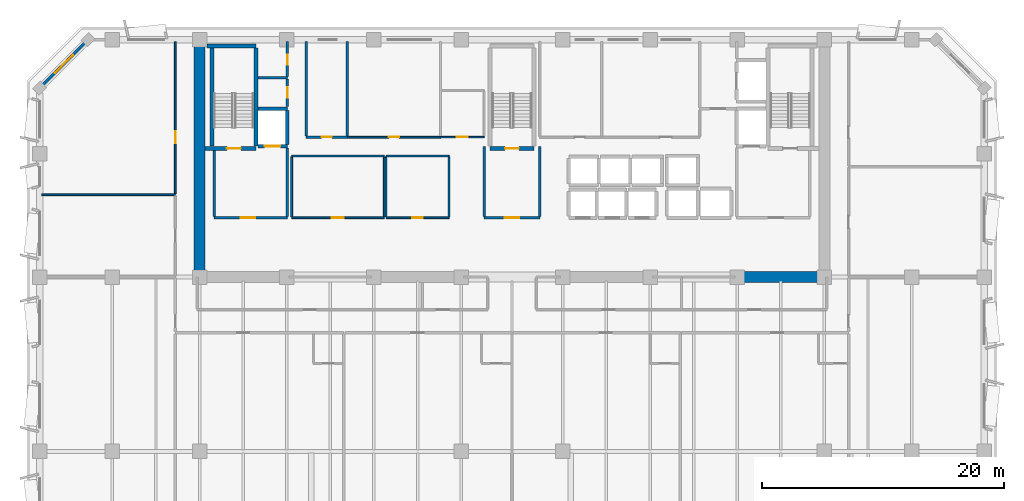
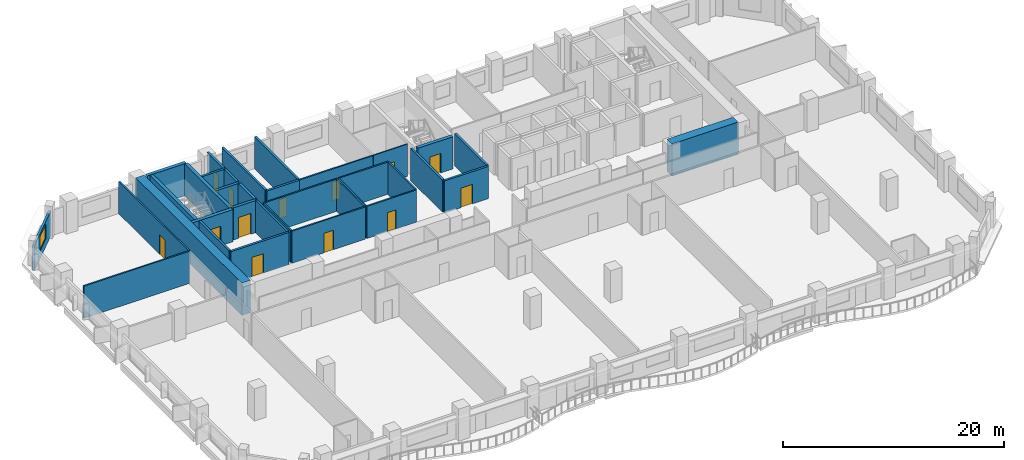
# One storey, part 6 of 14: 35 walls, 13 doors, 1 window, 14 openings.
"""IFC4 building model written with IfcOpenShell, lengths in metres."""

from ifc_helpers import new_model, si_unit, direction, frame, frame_2d, origin, place, context, subcontext, project, spatial, rectangle, extrude, material, layer, layer_set, type_object, element, fill, save


model = new_model("IFC4")

# Units and contexts
model_context = context("Model", 3, precision=1e-05, world=origin(), true_north=direction((0.0, 1.0)))
body_context = subcontext(model_context, "Body", "Model", "MODEL_VIEW")
ifc_project = project(units=[si_unit("LENGTHUNIT", "METRE"), si_unit("AREAUNIT", "SQUARE_METRE"), si_unit("VOLUMEUNIT", "CUBIC_METRE"), si_unit("PLANEANGLEUNIT", "RADIAN"), si_unit("MASSUNIT", "GRAM", prefix="KILO")], contexts=[model_context])

# Site, building, storey
site_placement = place(None, origin())
site = spatial("IfcSite", under=ifc_project, at=site_placement, CompositionType="ELEMENT")
building_placement = place(site_placement, origin())
building = spatial("IfcBuilding", under=site, at=building_placement, Name="Kaelvorn Grand Hotel", CompositionType="ELEMENT")
storey_placement = place(building_placement, frame((0.0, 0.0, 216.75)))
storey = spatial("IfcBuildingStorey", under=building, at=storey_placement, Name="L53", CompositionType="ELEMENT", Elevation=216.75)

# Walls
ifc_material_1 = material(Name="Concrete C60/75", Category="concrete")
ifc_layer_1 = layer(ifc_material_1, 0.89990234375)
ifc_layer_set_1 = layer_set([ifc_layer_1], Name="Concrete C60/75")
wall_type_1 = type_object("IfcWallType", Name="WL-CORE-900-C60", PredefinedType="SHEAR", material=ifc_layer_set_1)
wall_1_placement = place(storey_placement, frame((16.199951171875, 29.39990234375, 0.0), z_axis=(0.0, 0.0, 1.0), x_axis=(0.0, 1.0, 0.0)))
element("IfcWall", 1, at=wall_1_placement, inside=storey, type_object=wall_type_1, Name="L53 Rear-Core West Shear Wall", PredefinedType="SHEAR", context=body_context, shape_type="SweptSolid", body=[
    extrude(rectangle(XDim=19.2001953125, YDim=0.89990234375, at=frame_2d((9.60009765625, 0.0))), origin(), (0.0, 0.0, 1.0), 3.56005859375),
])
wall_2_placement = place(storey_placement, frame((60.39990234375, 29.39990234375, 0.0), z_axis=(0.0, 0.0, 1.0), x_axis=(1.0, 0.0, 0.0)))
element("IfcWall", 2, at=wall_2_placement, inside=storey, type_object=wall_type_1, Name="L53 Rear-Core Coupled Shear Pier S4", PredefinedType="SHEAR", context=body_context, shape_type="SweptSolid", body=[
    extrude(rectangle(XDim=6.945068359375, YDim=0.89990234375, at=frame_2d((3.47265625, 0.0))), origin(), (0.0, 0.0, 1.0), 3.56005859375),
])

# Wall, opening, window
ifc_material_2 = material(Name="Concrete C40/50", Category="concrete")
ifc_layer_2 = layer(ifc_material_2, 0.239990234375)
ifc_layer_set_2 = layer_set([ifc_layer_2], Name="Concrete C40/50")
wall_type_2 = type_object("IfcWallType", Name="WL-EXT-240-C40", PredefinedType="SOLIDWALL", material=ifc_layer_set_2)
wall_3_placement = place(storey_placement, frame((7.0, 49.0, 0.0), z_axis=(0.0, 0.0, 1.0), x_axis=(-0.707106781187, -0.707106781187, 0.0)))
wall_3 = element("IfcWall", 3, at=wall_3_placement, inside=storey, type_object=wall_type_2, Name="L53 Exterior Architectural Concrete Wall 06", PredefinedType="SOLIDWALL", context=body_context, shape_type="SweptSolid", body=[
    extrude(rectangle(XDim=5.65673828125, YDim=0.239990234375, at=frame_2d((2.828369140625, 0.0))), origin(), (0.0, 0.0, 1.0), 2.760009765625),
])
opening_1_placement = place(wall_3_placement, frame((1.7783203125, 0.0, 0.85009765625)))
opening_1 = element("IfcOpeningElement", 4, at=opening_1_placement, cuts=wall_3, Name="Opening W7", PredefinedType="OPENING", context=body_context, shape_type="SweptSolid", body=[
    extrude(rectangle(XDim=2.10009765625, YDim=1.60009765625, at=frame_2d((1.050048828125, 0.800048828125))), frame((0.0, 0.1298828125, 0.0), z_axis=(0.0, -1.0, 0.0), x_axis=(1.0, 0.0, 0.0)), (0.0, 0.0, 1.0), 0.260009765625),
])
ifc_material_3 = material(Name="Laminated Low-E Glass", Category="glass")
window_type = type_object("IfcWindowType", Name="WIN-CHM-2100x1600", PartitioningType="SINGLE_PANEL", PredefinedType="WINDOW", material=ifc_material_3)
window_placement = place(opening_1_placement, origin())
window = element("IfcWindow", 5, at=window_placement, inside=storey, type_object=window_type, Name="L53 Chamfered 45-Degree Corner Window NW", OverallHeight=1.60009765625, OverallWidth=2.10009765625, PartitioningType="SINGLE_PANEL", PredefinedType="WINDOW", context=body_context, shape_type="SweptSolid", body=[
    extrude(rectangle(XDim=2.10009765625, YDim=1.60009765625, at=frame_2d((1.050048828125, 0.800048828125))), frame((0.0, 0.030029296875, 0.0), z_axis=(0.0, -1.0, 0.0), x_axis=(1.0, 0.0, 0.0)), (0.0, 0.0, 1.0), 0.06005859375),
])
fill(opening_1, window)

# Wall, opening, door
ifc_material_4 = material(Name="Moisture-Resistant Tile & Stud Board")
ifc_layer_3 = layer(ifc_material_4, 0.125)
ifc_layer_set_3 = layer_set([ifc_layer_3], Name="Moisture-Resistant Tile & Stud Board")
wall_type_3 = type_object("IfcWallType", Name="WL-PART-125-WET", PredefinedType="PARTITIONING", material=ifc_layer_set_3)
wall_4_placement = place(storey_placement, frame((36.110107421875, 40.949951171875, 0.0), z_axis=(0.0, 0.0, 1.0), x_axis=(1.0, 0.0, 0.0)))
wall_4 = element("IfcWall", 6, at=wall_4_placement, inside=storey, type_object=wall_type_3, Name="L53 Accessible WC S Partition", PredefinedType="PARTITIONING", context=body_context, shape_type="SweptSolid", body=[
    extrude(rectangle(XDim=3.58984375, YDim=0.125, at=frame_2d((1.794921875, 0.0))), origin(), (0.0, 0.0, 1.0), 3.56005859375),
])
opening_2_placement = place(wall_4_placement, frame((1.340087890625, 0.0, 0.0)))
opening_2 = element("IfcOpeningElement", 7, at=opening_2_placement, cuts=wall_4, Name="Opening DI4", PredefinedType="OPENING", context=body_context, shape_type="SweptSolid", body=[
    extrude(rectangle(XDim=0.89990234375, YDim=2.10009765625, at=frame_2d((0.449951171875, 1.050048828125))), frame((0.0, 0.072509765625, 0.0), z_axis=(0.0, -1.0, 0.0), x_axis=(1.0, 0.0, 0.0)), (0.0, 0.0, 1.0), 0.14501953125),
])
ifc_material_5 = material(Name="Timber Veneer Leaf", Category="wood")
door_type_1 = type_object("IfcDoorType", Name="DR-INT-BATH-900x2100", OperationType="NOTDEFINED", PredefinedType="DOOR", material=ifc_material_5)
door_1_placement = place(opening_2_placement, origin())
door_1 = element("IfcDoor", 8, at=door_1_placement, inside=storey, type_object=door_type_1, Name="L53 Accessible WC Door", OperationType="SINGLE_SWING_LEFT", OverallHeight=2.10009765625, OverallWidth=0.89990234375, PredefinedType="DOOR", context=body_context, shape_type="SweptSolid", body=[
    extrude(rectangle(XDim=0.89990234375, YDim=2.10009765625, at=frame_2d((0.449951171875, 1.050048828125))), frame((0.0, 0.02490234375, 0.0), z_axis=(0.0, -1.0, 0.0), x_axis=(1.0, 0.0, 0.0)), (0.0, 0.0, 1.0), 0.050048828125),
])
fill(opening_2, door_1)

ifc_material_6 = material(Name="Acoustic Gypsum & Stud Partition")
ifc_layer_4 = layer(ifc_material_6, 0.14990234375)
ifc_layer_set_4 = layer_set([ifc_layer_4], Name="Acoustic Gypsum & Stud Partition")
wall_type_4 = type_object("IfcWallType", Name="WL-PART-150-EI60", PredefinedType="PARTITIONING", material=ifc_layer_set_4)
wall_5_placement = place(storey_placement, frame((31.60009765625, 34.300048828125, 0.0), z_axis=(0.0, 0.0, 1.0), x_axis=(1.0, 0.0, 0.0)))
wall_5 = element("IfcWall", 9, at=wall_5_placement, inside=storey, type_object=wall_type_4, Name="L53 Core Telecoms & BMS Server Room S Partition", PredefinedType="PARTITIONING", context=body_context, shape_type="SweptSolid", body=[
    extrude(rectangle(XDim=5.199951171875, YDim=0.14990234375, at=frame_2d((2.60009765625, 0.0))), origin(), (0.0, 0.0, 1.0), 3.56005859375),
])
opening_3_placement = place(wall_5_placement, frame((2.175048828125, 0.0, 0.0)))
opening_3 = element("IfcOpeningElement", 10, at=opening_3_placement, cuts=wall_5, Name="Opening DI7", PredefinedType="OPENING", context=body_context, shape_type="SweptSolid", body=[
    extrude(rectangle(XDim=0.85009765625, YDim=2.10009765625, at=frame_2d((0.425048828125, 1.050048828125))), frame((0.0, 0.0849609375, 0.0), z_axis=(0.0, -1.0, 0.0), x_axis=(1.0, 0.0, 0.0)), (0.0, 0.0, 1.0), 0.169921875),
])
ifc_material_7 = material(Name="Powder-Coated Steel Leaf", Category="steel")
door_type_2 = type_object("IfcDoorType", Name="DR-INT-RISER-850x2100", OperationType="NOTDEFINED", PredefinedType="DOOR", material=ifc_material_7)
door_2_placement = place(opening_3_placement, origin())
door_2 = element("IfcDoor", 11, at=door_2_placement, inside=storey, type_object=door_type_2, Name="L53 Core Telecoms & BMS Server Room Door", OperationType="SINGLE_SWING_LEFT", OverallHeight=2.10009765625, OverallWidth=0.85009765625, PredefinedType="DOOR", context=body_context, shape_type="SweptSolid", body=[
    extrude(rectangle(XDim=0.85009765625, YDim=2.10009765625, at=frame_2d((0.425048828125, 1.050048828125))), frame((0.0, 0.02490234375, 0.0), z_axis=(0.0, -1.0, 0.0), x_axis=(1.0, 0.0, 0.0)), (0.0, 0.0, 1.0), 0.050048828125),
])
fill(opening_3, door_2)

# Walls
wall_6_placement = place(storey_placement, frame((31.60009765625, 39.39990234375, 0.0), z_axis=(0.0, 0.0, 1.0), x_axis=(1.0, 0.0, 0.0)))
element("IfcWall", 12, at=wall_6_placement, inside=storey, type_object=wall_type_4, Name="L53 Core Telecoms & BMS Server Room N Partition", PredefinedType="PARTITIONING", context=body_context, shape_type="SweptSolid", body=[
    extrude(rectangle(XDim=5.199951171875, YDim=0.14990234375, at=frame_2d((2.60009765625, 0.0))), origin(), (0.0, 0.0, 1.0), 3.56005859375),
])
for number, where, z_axis, x_axis, name in (
    (13, (31.60009765625, 34.3798828125, 0.0), (0.0, 0.0, 1.0), (0.0, 1.0, 0.0), "L53 Core Telecoms & BMS Server Room W Partition"),
    (14, (36.800048828125, 34.3798828125, 0.0), (0.0, 0.0, 1.0), (0.0, 1.0, 0.0), "L53 Core Telecoms & BMS Server Room E Partition"),
):
    element("IfcWall", number, at=place(storey_placement, frame(where, z_axis=z_axis, x_axis=x_axis)), inside=storey, type_object=wall_type_4, Name=name, PredefinedType="PARTITIONING", context=body_context, shape_type="SweptSolid", body=[
        extrude(rectangle(XDim=4.940185546875, YDim=0.14990234375, at=frame_2d((2.47021484375, 0.0))), origin(), (0.0, 0.0, 1.0), 3.56005859375),
    ])

# Wall, opening, door
wall_7_placement = place(storey_placement, frame((23.800048828125, 34.300048828125, 0.0), z_axis=(0.0, 0.0, 1.0), x_axis=(1.0, 0.0, 0.0)))
wall_7 = element("IfcWall", 15, at=wall_7_placement, inside=storey, type_object=wall_type_4, Name="L53 Executive Club Sitting Lounge S Partition", PredefinedType="PARTITIONING", context=body_context, shape_type="SweptSolid", body=[
    extrude(rectangle(XDim=7.64990234375, YDim=0.14990234375, at=frame_2d((3.824951171875, 0.0))), origin(), (0.0, 0.0, 1.0), 3.56005859375),
])
opening_4_placement = place(wall_7_placement, frame((3.300048828125, 0.0, 0.0)))
opening_4 = element("IfcOpeningElement", 16, at=opening_4_placement, cuts=wall_7, Name="Opening DI3", PredefinedType="OPENING", context=body_context, shape_type="SweptSolid", body=[
    extrude(rectangle(XDim=1.0, YDim=2.14990234375, at=frame_2d((0.5, 1.074951171875))), frame((0.0, 0.0849609375, 0.0), z_axis=(0.0, -1.0, 0.0), x_axis=(1.0, 0.0, 0.0)), (0.0, 0.0, 1.0), 0.169921875),
])
ifc_material_8 = material(Name="Timber Veneer Fire Leaf", Category="wood")
door_type_3 = type_object("IfcDoorType", Name="DR-INT-GUEST-1000x2150", OperationType="NOTDEFINED", PredefinedType="DOOR", material=ifc_material_8)
door_3_placement = place(opening_4_placement, origin())
door_3 = element("IfcDoor", 17, at=door_3_placement, inside=storey, type_object=door_type_3, Name="L53 Executive Club Sitting Lounge Door", OperationType="SINGLE_SWING_RIGHT", OverallHeight=2.14990234375, OverallWidth=1.0, PredefinedType="DOOR", context=body_context, shape_type="SweptSolid", body=[
    extrude(rectangle(XDim=1.0, YDim=2.14990234375, at=frame_2d((0.5, 1.074951171875))), frame((0.0, 0.02490234375, 0.0), z_axis=(0.0, -1.0, 0.0), x_axis=(1.0, 0.0, 0.0)), (0.0, 0.0, 1.0), 0.050048828125),
])
fill(opening_4, door_3)

# Walls
wall_8_placement = place(storey_placement, frame((23.800048828125, 39.39990234375, 0.0), z_axis=(0.0, 0.0, 1.0), x_axis=(1.0, 0.0, 0.0)))
element("IfcWall", 18, at=wall_8_placement, inside=storey, type_object=wall_type_4, Name="L53 Executive Club Sitting Lounge N Partition", PredefinedType="PARTITIONING", context=body_context, shape_type="SweptSolid", body=[
    extrude(rectangle(XDim=7.64990234375, YDim=0.14990234375, at=frame_2d((3.824951171875, 0.0))), origin(), (0.0, 0.0, 1.0), 3.56005859375),
])
for number, where, z_axis, x_axis, name in (
    (19, (23.800048828125, 34.3798828125, 0.0), (0.0, 0.0, 1.0), (0.0, 1.0, 0.0), "L53 Executive Club Sitting Lounge W Partition"),
    (20, (31.449951171875, 34.3798828125, 0.0), (0.0, 0.0, 1.0), (0.0, 1.0, 0.0), "L53 Executive Club Sitting Lounge E Partition"),
):
    element("IfcWall", number, at=place(storey_placement, frame(where, z_axis=z_axis, x_axis=x_axis)), inside=storey, type_object=wall_type_4, Name=name, PredefinedType="PARTITIONING", context=body_context, shape_type="SweptSolid", body=[
        extrude(rectangle(XDim=4.940185546875, YDim=0.14990234375, at=frame_2d((2.47021484375, 0.0))), origin(), (0.0, 0.0, 1.0), 3.56005859375),
    ])

# Wall, opening, door
wall_9_placement = place(storey_placement, frame((28.409912109375, 40.949951171875, 0.0), z_axis=(0.0, 0.0, 1.0), x_axis=(1.0, 0.0, 0.0)))
wall_9 = element("IfcWall", 21, at=wall_9_placement, inside=storey, type_object=wall_type_4, Name="L53 Housekeeping & Linen Room S Partition", PredefinedType="PARTITIONING", context=body_context, shape_type="SweptSolid", body=[
    extrude(rectangle(XDim=7.690185546875, YDim=0.14990234375, at=frame_2d((3.84521484375, 0.0))), origin(), (0.0, 0.0, 1.0), 3.56005859375),
])
opening_5_placement = place(wall_9_placement, frame((3.4150390625, 0.0, 0.0)))
opening_5 = element("IfcOpeningElement", 22, at=opening_5_placement, cuts=wall_9, Name="Opening DI7", PredefinedType="OPENING", context=body_context, shape_type="SweptSolid", body=[
    extrude(rectangle(XDim=0.85009765625, YDim=2.10009765625, at=frame_2d((0.425048828125, 1.050048828125))), frame((0.0, 0.0849609375, 0.0), z_axis=(0.0, -1.0, 0.0), x_axis=(1.0, 0.0, 0.0)), (0.0, 0.0, 1.0), 0.169921875),
])
door_4_placement = place(opening_5_placement, origin())
door_4 = element("IfcDoor", 23, at=door_4_placement, inside=storey, type_object=door_type_2, Name="L53 Housekeeping & Linen Room Door", OperationType="SINGLE_SWING_RIGHT", OverallHeight=2.10009765625, OverallWidth=0.85009765625, PredefinedType="DOOR", context=body_context, shape_type="SweptSolid", body=[
    extrude(rectangle(XDim=0.85009765625, YDim=2.10009765625, at=frame_2d((0.425048828125, 1.050048828125))), frame((0.0, 0.02490234375, 0.0), z_axis=(0.0, -1.0, 0.0), x_axis=(1.0, 0.0, 0.0)), (0.0, 0.0, 1.0), 0.050048828125),
])
fill(opening_5, door_4)

# Wall
wall_10_placement = place(storey_placement, frame((3.14990234375, 36.199951171875, 0.0), z_axis=(0.0, 0.0, 1.0), x_axis=(1.0, 0.0, 0.0)))
element("IfcWall", 24, at=wall_10_placement, inside=storey, type_object=wall_type_4, Name="L53 North-West Botanical Conservatory Salon N Partition", PredefinedType="PARTITIONING", context=body_context, shape_type="SweptSolid", body=[
    extrude(rectangle(XDim=11.050048828125, YDim=0.14990234375, at=frame_2d((5.52490234375, 0.0))), origin(), (0.0, 0.0, 1.0), 3.56005859375),
])

# Wall, opening, door
wall_11_placement = place(storey_placement, frame((14.199951171875, 36.280029296875, 0.0), z_axis=(0.0, 0.0, 1.0), x_axis=(0.0, 1.0, 0.0)))
wall_11 = element("IfcWall", 25, at=wall_11_placement, inside=storey, type_object=wall_type_4, Name="L53 North-West Catering Servery Kitchen E Partition", PredefinedType="PARTITIONING", context=body_context, shape_type="SweptSolid", body=[
    extrude(rectangle(XDim=12.570068359375, YDim=0.14990234375, at=frame_2d((6.28515625, 0.0))), origin(), (0.0, 0.0, 1.0), 3.56005859375),
])
opening_6_placement = place(wall_11_placement, frame((4.169921875, 0.0, 0.0)))
opening_6 = element("IfcOpeningElement", 26, at=opening_6_placement, cuts=wall_11, Name="Opening DI3", PredefinedType="OPENING", context=body_context, shape_type="SweptSolid", body=[
    extrude(rectangle(XDim=1.0, YDim=2.14990234375, at=frame_2d((0.5, 1.074951171875))), frame((0.0, 0.0849609375, 0.0), z_axis=(0.0, -1.0, 0.0), x_axis=(1.0, 0.0, 0.0)), (0.0, 0.0, 1.0), 0.169921875),
])
door_5_placement = place(opening_6_placement, origin())
door_5 = element("IfcDoor", 27, at=door_5_placement, inside=storey, type_object=door_type_3, Name="L53 North-West Catering Servery Kitchen Door", OperationType="SINGLE_SWING_LEFT", OverallHeight=2.14990234375, OverallWidth=1.0, PredefinedType="DOOR", context=body_context, shape_type="SweptSolid", body=[
    extrude(rectangle(XDim=1.0, YDim=2.14990234375, at=frame_2d((0.5, 1.074951171875))), frame((0.0, 0.02490234375, 0.0), z_axis=(0.0, -1.0, 0.0), x_axis=(1.0, 0.0, 0.0)), (0.0, 0.0, 1.0), 0.050048828125),
])
fill(opening_6, door_5)

ifc_layer_5 = layer(ifc_material_2, 0.219970703125)
ifc_layer_set_5 = layer_set([ifc_layer_5], Name="Concrete C40/50")
wall_type_5 = type_object("IfcWallType", Name="WL-PART-220-EI120", PredefinedType="PARTITIONING", material=ifc_layer_set_5)
wall_12_placement = place(storey_placement, frame((17.39990234375, 34.300048828125, 0.0), z_axis=(0.0, 0.0, 1.0), x_axis=(1.0, 0.0, 0.0)))
wall_12 = element("IfcWall", 28, at=wall_12_placement, inside=storey, type_object=wall_type_5, Name="L53 Firefighting Lift Lobby 1 S Partition", PredefinedType="PARTITIONING", context=body_context, shape_type="SweptSolid", body=[
    extrude(rectangle(XDim=6.050048828125, YDim=0.219970703125, at=frame_2d((3.02490234375, 0.0))), origin(), (0.0, 0.0, 1.0), 3.56005859375),
])
opening_7_placement = place(wall_12_placement, frame((2.199951171875, 0.0, 0.0)))
opening_7 = element("IfcOpeningElement", 29, at=opening_7_placement, cuts=wall_12, Name="Opening DI2", PredefinedType="OPENING", context=body_context, shape_type="SweptSolid", body=[
    extrude(rectangle(XDim=1.199951171875, YDim=2.14990234375, at=frame_2d((0.60009765625, 1.074951171875))), frame((0.0, 0.1201171875, 0.0), z_axis=(0.0, -1.0, 0.0), x_axis=(1.0, 0.0, 0.0)), (0.0, 0.0, 1.0), 0.239990234375),
])
door_type_4 = type_object("IfcDoorType", Name="DR-INT-FFLOB-1200x2150", OperationType="NOTDEFINED", PredefinedType="DOOR", material=ifc_material_8)
door_6_placement = place(opening_7_placement, origin())
door_6 = element("IfcDoor", 30, at=door_6_placement, inside=storey, type_object=door_type_4, Name="L53 Firefighting Lift Lobby 1 Door", OperationType="SINGLE_SWING_LEFT", OverallHeight=2.14990234375, OverallWidth=1.199951171875, PredefinedType="DOOR", context=body_context, shape_type="SweptSolid", body=[
    extrude(rectangle(XDim=1.199951171875, YDim=2.14990234375, at=frame_2d((0.60009765625, 1.074951171875))), frame((0.0, 0.02490234375, 0.0), z_axis=(0.0, -1.0, 0.0), x_axis=(1.0, 0.0, 0.0)), (0.0, 0.0, 1.0), 0.050048828125),
])
fill(opening_7, door_6)

# Walls
wall_13_placement = place(storey_placement, frame((17.39990234375, 34.4150390625, 0.0), z_axis=(0.0, 0.0, 1.0), x_axis=(0.0, 1.0, 0.0)))
element("IfcWall", 31, at=wall_13_placement, inside=storey, type_object=wall_type_5, Name="L53 Firefighting Lift Lobby 1 W Partition", PredefinedType="PARTITIONING", context=body_context, shape_type="SweptSolid", body=[
    extrude(rectangle(XDim=5.429931640625, YDim=0.219970703125, at=frame_2d((2.71484375, 0.0))), origin(), (0.0, 0.0, 1.0), 3.56005859375),
])
wall_14_placement = place(storey_placement, frame((23.449951171875, 34.4150390625, 0.0), z_axis=(0.0, 0.0, 1.0), x_axis=(0.0, 1.0, 0.0)))
element("IfcWall", 32, at=wall_14_placement, inside=storey, type_object=wall_type_5, Name="L53 Firefighting Lift Lobby 1 E Partition", PredefinedType="PARTITIONING", context=body_context, shape_type="SweptSolid", body=[
    extrude(rectangle(XDim=5.639892578125, YDim=0.219970703125, at=frame_2d((2.81982421875, 0.0))), origin(), (0.0, 0.0, 1.0), 3.56005859375),
])

# Wall, opening, door
wall_15_placement = place(storey_placement, frame((39.699951171875, 34.300048828125, 0.0), z_axis=(0.0, 0.0, 1.0), x_axis=(1.0, 0.0, 0.0)))
wall_15 = element("IfcWall", 33, at=wall_15_placement, inside=storey, type_object=wall_type_5, Name="L53 Central Stair Escape Vestibule S Partition", PredefinedType="PARTITIONING", context=body_context, shape_type="SweptSolid", body=[
    extrude(rectangle(XDim=4.60009765625, YDim=0.219970703125, at=frame_2d((2.300048828125, 0.0))), origin(), (0.0, 0.0, 1.0), 3.56005859375),
])
opening_8_placement = place(wall_15_placement, frame((1.699951171875, 0.0, 0.0)))
opening_8 = element("IfcOpeningElement", 34, at=opening_8_placement, cuts=wall_15, Name="Opening DI2", PredefinedType="OPENING", context=body_context, shape_type="SweptSolid", body=[
    extrude(rectangle(XDim=1.199951171875, YDim=2.14990234375, at=frame_2d((0.60009765625, 1.074951171875))), frame((0.0, 0.1201171875, 0.0), z_axis=(0.0, -1.0, 0.0), x_axis=(1.0, 0.0, 0.0)), (0.0, 0.0, 1.0), 0.239990234375),
])
door_7_placement = place(opening_8_placement, origin())
door_7 = element("IfcDoor", 35, at=door_7_placement, inside=storey, type_object=door_type_4, Name="L53 Central Stair Escape Vestibule Door", OperationType="SINGLE_SWING_LEFT", OverallHeight=2.14990234375, OverallWidth=1.199951171875, PredefinedType="DOOR", context=body_context, shape_type="SweptSolid", body=[
    extrude(rectangle(XDim=1.199951171875, YDim=2.14990234375, at=frame_2d((0.60009765625, 1.074951171875))), frame((0.0, 0.02490234375, 0.0), z_axis=(0.0, -1.0, 0.0), x_axis=(1.0, 0.0, 0.0)), (0.0, 0.0, 1.0), 0.050048828125),
])
fill(opening_8, door_7)

# Walls
for number, where, z_axis, x_axis, name in (
    (36, (39.699951171875, 34.4150390625, 0.0), (0.0, 0.0, 1.0), (0.0, 1.0, 0.0), "L53 Central Stair Escape Vestibule W Partition"),
    (37, (44.300048828125, 34.4150390625, 0.0), (0.0, 0.0, 1.0), (0.0, 1.0, 0.0), "L53 Central Stair Escape Vestibule E Partition"),
):
    element("IfcWall", number, at=place(storey_placement, frame(where, z_axis=z_axis, x_axis=x_axis)), inside=storey, type_object=wall_type_5, Name=name, PredefinedType="PARTITIONING", context=body_context, shape_type="SweptSolid", body=[
        extrude(rectangle(XDim=5.784912109375, YDim=0.219970703125, at=frame_2d((2.892578125, 0.0))), origin(), (0.0, 0.0, 1.0), 3.56005859375),
    ])
wall_16_placement = place(storey_placement, frame((21.034912109375, 45.85009765625, 0.0), z_axis=(0.0, 0.0, 1.0), x_axis=(1.0, 0.0, 0.0)))
element("IfcWall", 38, at=wall_16_placement, inside=storey, type_object=wall_type_5, Name="L53 Wet Fire & Plumbing Riser Shaft N Partition", PredefinedType="PARTITIONING", context=body_context, shape_type="SweptSolid", body=[
    extrude(rectangle(XDim=2.4150390625, YDim=0.219970703125, at=frame_2d((1.20751953125, 0.0))), origin(), (0.0, 0.0, 1.0), 3.56005859375),
])

# Wall, opening, door
wall_17_placement = place(storey_placement, frame((23.449951171875, 43.5, 0.0), z_axis=(0.0, 0.0, 1.0), x_axis=(0.0, 1.0, 0.0)))
wall_17 = element("IfcWall", 39, at=wall_17_placement, inside=storey, type_object=wall_type_5, Name="L53 Wet Fire & Plumbing Riser Shaft E Partition", PredefinedType="PARTITIONING", context=body_context, shape_type="SweptSolid", body=[
    extrude(rectangle(XDim=2.235107421875, YDim=0.219970703125, at=frame_2d((1.11767578125, 0.0))), origin(), (0.0, 0.0, 1.0), 3.56005859375),
])
opening_9_placement = place(wall_17_placement, frame((0.72509765625, 0.0, 0.0)))
opening_9 = element("IfcOpeningElement", 40, at=opening_9_placement, cuts=wall_17, Name="Opening DI7", PredefinedType="OPENING", context=body_context, shape_type="SweptSolid", body=[
    extrude(rectangle(XDim=0.85009765625, YDim=2.10009765625, at=frame_2d((0.425048828125, 1.050048828125))), frame((0.0, 0.1201171875, 0.0), z_axis=(0.0, -1.0, 0.0), x_axis=(1.0, 0.0, 0.0)), (0.0, 0.0, 1.0), 0.239990234375),
])
door_8_placement = place(opening_9_placement, origin())
door_8 = element("IfcDoor", 41, at=door_8_placement, inside=storey, type_object=door_type_2, Name="L53 Wet Fire & Plumbing Riser Shaft Door", OperationType="SINGLE_SWING_LEFT", OverallHeight=2.10009765625, OverallWidth=0.85009765625, PredefinedType="DOOR", context=body_context, shape_type="SweptSolid", body=[
    extrude(rectangle(XDim=0.85009765625, YDim=2.10009765625, at=frame_2d((0.425048828125, 1.050048828125))), frame((0.0, 0.02490234375, 0.0), z_axis=(0.0, -1.0, 0.0), x_axis=(1.0, 0.0, 0.0)), (0.0, 0.0, 1.0), 0.050048828125),
])
fill(opening_9, door_8)

wall_18_placement = place(storey_placement, frame((23.449951171875, 45.965087890625, 0.0), z_axis=(0.0, 0.0, 1.0), x_axis=(0.0, 1.0, 0.0)))
wall_18 = element("IfcWall", 42, at=wall_18_placement, inside=storey, type_object=wall_type_5, Name="L53 HV Electrical & Smoke Riser E Partition", PredefinedType="PARTITIONING", context=body_context, shape_type="SweptSolid", body=[
    extrude(rectangle(XDim=2.885009765625, YDim=0.219970703125, at=frame_2d((1.4423828125, 0.0))), origin(), (0.0, 0.0, 1.0), 3.56005859375),
])
opening_10_placement = place(wall_18_placement, frame((0.9599609375, 0.0, 0.0)))
opening_10 = element("IfcOpeningElement", 43, at=opening_10_placement, cuts=wall_18, Name="Opening DI7", PredefinedType="OPENING", context=body_context, shape_type="SweptSolid", body=[
    extrude(rectangle(XDim=0.85009765625, YDim=2.10009765625, at=frame_2d((0.425048828125, 1.050048828125))), frame((0.0, 0.1201171875, 0.0), z_axis=(0.0, -1.0, 0.0), x_axis=(1.0, 0.0, 0.0)), (0.0, 0.0, 1.0), 0.239990234375),
])
door_9_placement = place(opening_10_placement, origin())
door_9 = element("IfcDoor", 44, at=door_9_placement, inside=storey, type_object=door_type_2, Name="L53 HV Electrical & Smoke Riser Door", OperationType="SINGLE_SWING_RIGHT", OverallHeight=2.10009765625, OverallWidth=0.85009765625, PredefinedType="DOOR", context=body_context, shape_type="SweptSolid", body=[
    extrude(rectangle(XDim=0.85009765625, YDim=2.10009765625, at=frame_2d((0.425048828125, 1.050048828125))), frame((0.0, 0.02490234375, 0.0), z_axis=(0.0, -1.0, 0.0), x_axis=(1.0, 0.0, 0.0)), (0.0, 0.0, 1.0), 0.050048828125),
])
fill(opening_10, door_9)

wall_19_placement = place(storey_placement, frame((25.0, 40.949951171875, 0.0), z_axis=(0.0, 0.0, 1.0), x_axis=(1.0, 0.0, 0.0)))
wall_19 = element("IfcWall", 45, at=wall_19_placement, inside=storey, type_object=wall_type_5, Name="L53 Electrical Distribution Room S Partition", PredefinedType="PARTITIONING", context=body_context, shape_type="SweptSolid", body=[
    extrude(rectangle(XDim=3.39990234375, YDim=0.219970703125, at=frame_2d((1.699951171875, 0.0))), origin(), (0.0, 0.0, 1.0), 3.56005859375),
])
opening_11_placement = place(wall_19_placement, frame((1.27490234375, 0.0, 0.0)))
opening_11 = element("IfcOpeningElement", 46, at=opening_11_placement, cuts=wall_19, Name="Opening DI7", PredefinedType="OPENING", context=body_context, shape_type="SweptSolid", body=[
    extrude(rectangle(XDim=0.85009765625, YDim=2.10009765625, at=frame_2d((0.425048828125, 1.050048828125))), frame((0.0, 0.1201171875, 0.0), z_axis=(0.0, -1.0, 0.0), x_axis=(1.0, 0.0, 0.0)), (0.0, 0.0, 1.0), 0.239990234375),
])
door_10_placement = place(opening_11_placement, origin())
door_10 = element("IfcDoor", 47, at=door_10_placement, inside=storey, type_object=door_type_2, Name="L53 Electrical Distribution Room Door", OperationType="SINGLE_SWING_LEFT", OverallHeight=2.10009765625, OverallWidth=0.85009765625, PredefinedType="DOOR", context=body_context, shape_type="SweptSolid", body=[
    extrude(rectangle(XDim=0.85009765625, YDim=2.10009765625, at=frame_2d((0.425048828125, 1.050048828125))), frame((0.0, 0.02490234375, 0.0), z_axis=(0.0, -1.0, 0.0), x_axis=(1.0, 0.0, 0.0)), (0.0, 0.0, 1.0), 0.050048828125),
])
fill(opening_11, door_10)

# Walls
for number, where, z_axis, x_axis, name in (
    (48, (25.0, 41.06494140625, 0.0), (0.0, 0.0, 1.0), (0.0, 1.0, 0.0), "L53 Electrical Distribution Room W Partition"),
    (49, (28.39990234375, 41.06494140625, 0.0), (0.0, 0.0, 1.0), (0.0, 1.0, 0.0), "L53 Electrical Distribution Room E Partition"),
):
    element("IfcWall", number, at=place(storey_placement, frame(where, z_axis=z_axis, x_axis=x_axis)), inside=storey, type_object=wall_type_5, Name=name, PredefinedType="PARTITIONING", context=body_context, shape_type="SweptSolid", body=[
        extrude(rectangle(XDim=7.78515625, YDim=0.219970703125, at=frame_2d((3.892578125, 0.0))), origin(), (0.0, 0.0, 1.0), 3.56005859375),
    ])

# Wall, opening, door
ifc_material_9 = material(Name="Concrete C50/60", Category="concrete")
ifc_layer_6 = layer(ifc_material_9, 0.280029296875)
ifc_layer_set_6 = layer_set([ifc_layer_6], Name="Concrete C50/60")
wall_type_6 = type_object("IfcWallType", Name="WL-SHAFT-280-C50", PredefinedType="SHEAR", material=ifc_layer_set_6)
wall_20_placement = place(storey_placement, frame((21.034912109375, 40.199951171875, 0.0), z_axis=(0.0, 0.0, 1.0), x_axis=(1.0, 0.0, 0.0)))
wall_20 = element("IfcWall", 50, at=wall_20_placement, inside=storey, type_object=wall_type_6, Name="L53 Lift FFL1 Shaft South Wall", PredefinedType="SHEAR", context=body_context, shape_type="SweptSolid", body=[
    extrude(rectangle(XDim=2.4150390625, YDim=0.280029296875, at=frame_2d((1.20751953125, 0.0))), origin(), (0.0, 0.0, 1.0), 3.56005859375),
])
opening_12_placement = place(wall_20_placement, frame((0.5400390625, 0.0, 0.0)))
opening_12 = element("IfcOpeningElement", 51, at=opening_12_placement, cuts=wall_20, Name="Opening LD-FFL1", PredefinedType="OPENING", context=body_context, shape_type="SweptSolid", body=[
    extrude(rectangle(XDim=1.300048828125, YDim=2.300048828125, at=frame_2d((0.64990234375, 1.14990234375))), frame((0.0, 0.14990234375, 0.0), z_axis=(0.0, -1.0, 0.0), x_axis=(1.0, 0.0, 0.0)), (0.0, 0.0, 1.0), 0.300048828125),
])
ifc_material_10 = material(Name="Stainless Steel", Category="steel")
door_type_5 = type_object("IfcDoorType", Name="DR-LIFT-SERV-1300x2300", OperationType="DOUBLE_DOOR_SLIDING", PredefinedType="DOOR", material=ifc_material_10)
door_11_placement = place(opening_12_placement, origin())
door_11 = element("IfcDoor", 52, at=door_11_placement, inside=storey, type_object=door_type_5, Name="L53 Lift FFL1 Sliding Landing Door LD-FFL1", OperationType="DOUBLE_DOOR_SLIDING", OverallHeight=2.300048828125, OverallWidth=1.300048828125, PredefinedType="DOOR", context=body_context, shape_type="SweptSolid", body=[
    extrude(rectangle(XDim=1.300048828125, YDim=2.300048828125, at=frame_2d((0.64990234375, 1.14990234375))), frame((0.0, 0.02490234375, 0.0), z_axis=(0.0, -1.0, 0.0), x_axis=(1.0, 0.0, 0.0)), (0.0, 0.0, 1.0), 0.050048828125),
])
fill(opening_12, door_11)

# Walls
wall_21_placement = place(storey_placement, frame((21.034912109375, 43.300048828125, 0.0), z_axis=(0.0, 0.0, 1.0), x_axis=(1.0, 0.0, 0.0)))
element("IfcWall", 53, at=wall_21_placement, inside=storey, type_object=wall_type_6, Name="L53 Lift FFL1 Shaft North Wall", PredefinedType="SHEAR", context=body_context, shape_type="SweptSolid", body=[
    extrude(rectangle(XDim=2.4150390625, YDim=0.280029296875, at=frame_2d((1.20751953125, 0.0))), origin(), (0.0, 0.0, 1.0), 3.56005859375),
])
wall_22_placement = place(storey_placement, frame((23.449951171875, 40.344970703125, 0.0), z_axis=(0.0, 0.0, 1.0), x_axis=(0.0, 1.0, 0.0)))
element("IfcWall", 54, at=wall_22_placement, inside=storey, type_object=wall_type_6, Name="L53 Lift FFL1 Shaft East Wall", PredefinedType="SHEAR", context=body_context, shape_type="SweptSolid", body=[
    extrude(rectangle(XDim=2.81005859375, YDim=0.280029296875, at=frame_2d((1.405029296875, 0.0))), origin(), (0.0, 0.0, 1.0), 3.56005859375),
])

# Wall, opening, door
ifc_layer_7 = layer(ifc_material_1, 0.35009765625)
ifc_layer_set_7 = layer_set([ifc_layer_7], Name="Concrete C60/75")
wall_type_7 = type_object("IfcWallType", Name="WL-SHAFT-350-C60", PredefinedType="SHEAR", material=ifc_layer_set_7)
wall_23_placement = place(storey_placement, frame((16.655029296875, 40.02490234375, 0.0), z_axis=(0.0, 0.0, 1.0), x_axis=(1.0, 0.0, 0.0)))
wall_23 = element("IfcWall", 55, at=wall_23_placement, inside=storey, type_object=wall_type_7, Name="L53 ST1 Stair Shaft South Wall", PredefinedType="SHEAR", context=body_context, shape_type="SweptSolid", body=[
    extrude(rectangle(XDim=4.199951171875, YDim=0.35009765625, at=frame_2d((2.10009765625, 0.0))), origin(), (0.0, 0.0, 1.0), 3.56005859375),
])
opening_13_placement = place(wall_23_placement, frame((1.81005859375, 0.0, 0.0)))
opening_13 = element("IfcOpeningElement", 56, at=opening_13_placement, cuts=wall_23, Name="Opening DI1", PredefinedType="OPENING", context=body_context, shape_type="SweptSolid", body=[
    extrude(rectangle(XDim=1.14990234375, YDim=2.14990234375, at=frame_2d((0.574951171875, 1.074951171875))), frame((0.0, 0.18505859375, 0.0), z_axis=(0.0, -1.0, 0.0), x_axis=(1.0, 0.0, 0.0)), (0.0, 0.0, 1.0), 0.3701171875),
])
door_type_6 = type_object("IfcDoorType", Name="DR-INT-STAIR-1150x2150", OperationType="NOTDEFINED", PredefinedType="DOOR", material=ifc_material_8)
door_12_placement = place(opening_13_placement, origin())
door_12 = element("IfcDoor", 57, at=door_12_placement, inside=storey, type_object=door_type_6, Name="L53 ST1 Exit Stair Fire Door", OperationType="SINGLE_SWING_RIGHT", OverallHeight=2.14990234375, OverallWidth=1.14990234375, PredefinedType="DOOR", context=body_context, shape_type="SweptSolid", body=[
    extrude(rectangle(XDim=1.14990234375, YDim=2.14990234375, at=frame_2d((0.574951171875, 1.074951171875))), frame((0.0, 0.02490234375, 0.0), z_axis=(0.0, -1.0, 0.0), x_axis=(1.0, 0.0, 0.0)), (0.0, 0.0, 1.0), 0.050048828125),
])
fill(opening_13, door_12)

# Walls
wall_24_placement = place(storey_placement, frame((16.804931640625, 48.47509765625, 0.0), z_axis=(0.0, 0.0, 1.0), x_axis=(1.0, 0.0, 0.0)))
element("IfcWall", 58, at=wall_24_placement, inside=storey, type_object=wall_type_7, Name="L53 ST1 Stair Shaft North Wall", PredefinedType="SHEAR", context=body_context, shape_type="SweptSolid", body=[
    extrude(rectangle(XDim=4.050048828125, YDim=0.35009765625, at=frame_2d((2.02490234375, 0.0))), origin(), (0.0, 0.0, 1.0), 3.56005859375),
])
for number, where, z_axis, x_axis, name in (
    (59, (17.22509765625, 40.205078125, 0.0), (0.0, 0.0, 1.0), (0.0, 1.0, 0.0), "L53 ST1 Stair Shaft West Wall"),
    (60, (20.85498046875, 40.205078125, 0.0), (0.0, 0.0, 1.0), (0.0, 1.0, 0.0), "L53 ST1 Stair Shaft East Wall"),
):
    element("IfcWall", number, at=place(storey_placement, frame(where, z_axis=z_axis, x_axis=x_axis)), inside=storey, type_object=wall_type_7, Name=name, PredefinedType="SHEAR", context=body_context, shape_type="SweptSolid", body=[
        extrude(rectangle(XDim=8.08984375, YDim=0.35009765625, at=frame_2d((4.044921875, 0.0))), origin(), (0.0, 0.0, 1.0), 3.56005859375),
    ])

# Wall, opening, door
wall_25_placement = place(storey_placement, frame((40.18505859375, 40.02490234375, 0.0), z_axis=(0.0, 0.0, 1.0), x_axis=(1.0, 0.0, 0.0)))
wall_25 = element("IfcWall", 61, at=wall_25_placement, inside=storey, type_object=wall_type_7, Name="L53 ST2 Stair Shaft South Wall", PredefinedType="SHEAR", context=body_context, shape_type="SweptSolid", body=[
    extrude(rectangle(XDim=3.6298828125, YDim=0.35009765625, at=frame_2d((1.81494140625, 0.0))), origin(), (0.0, 0.0, 1.0), 3.56005859375),
])
opening_14_placement = place(wall_25_placement, frame((1.239990234375, 0.0, 0.0)))
opening_14 = element("IfcOpeningElement", 62, at=opening_14_placement, cuts=wall_25, Name="Opening DI1", PredefinedType="OPENING", context=body_context, shape_type="SweptSolid", body=[
    extrude(rectangle(XDim=1.14990234375, YDim=2.14990234375, at=frame_2d((0.574951171875, 1.074951171875))), frame((0.0, 0.18505859375, 0.0), z_axis=(0.0, -1.0, 0.0), x_axis=(1.0, 0.0, 0.0)), (0.0, 0.0, 1.0), 0.3701171875),
])
door_13_placement = place(opening_14_placement, origin())
door_13 = element("IfcDoor", 63, at=door_13_placement, inside=storey, type_object=door_type_6, Name="L53 ST2 Exit Stair Fire Door", OperationType="SINGLE_SWING_LEFT", OverallHeight=2.14990234375, OverallWidth=1.14990234375, PredefinedType="DOOR", context=body_context, shape_type="SweptSolid", body=[
    extrude(rectangle(XDim=1.14990234375, YDim=2.14990234375, at=frame_2d((0.574951171875, 1.074951171875))), frame((0.0, 0.02490234375, 0.0), z_axis=(0.0, -1.0, 0.0), x_axis=(1.0, 0.0, 0.0)), (0.0, 0.0, 1.0), 0.050048828125),
])
fill(opening_14, door_13)

save(model, "model.ifc")
